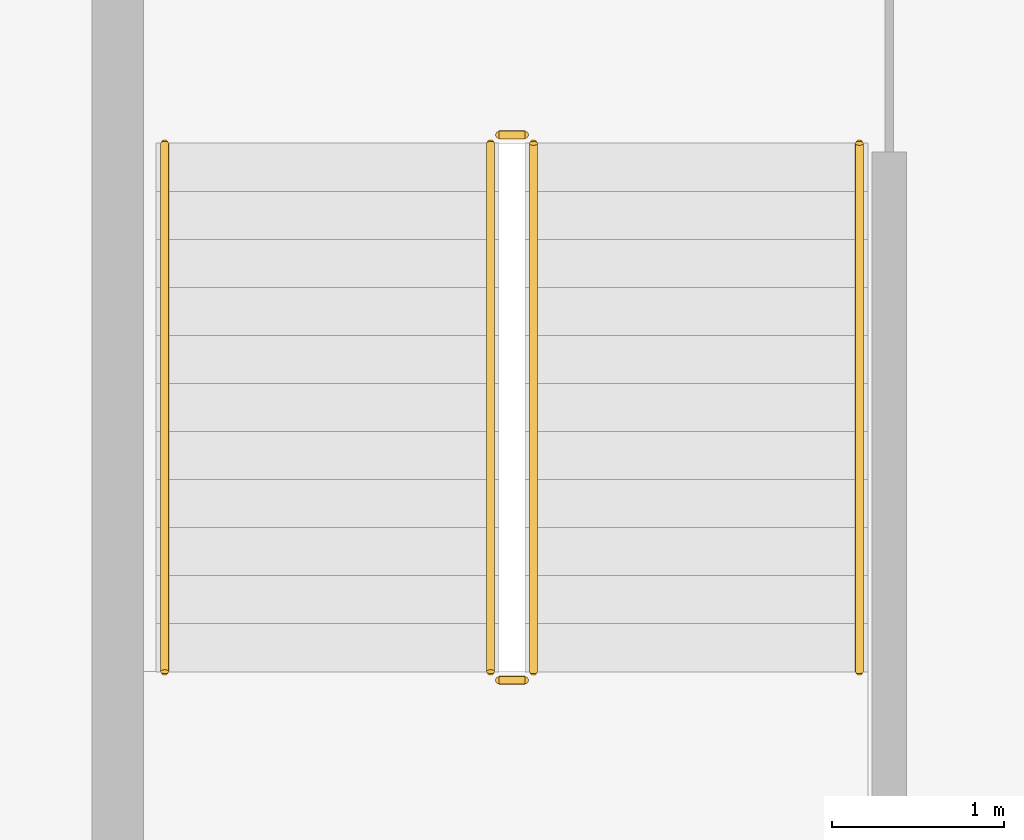
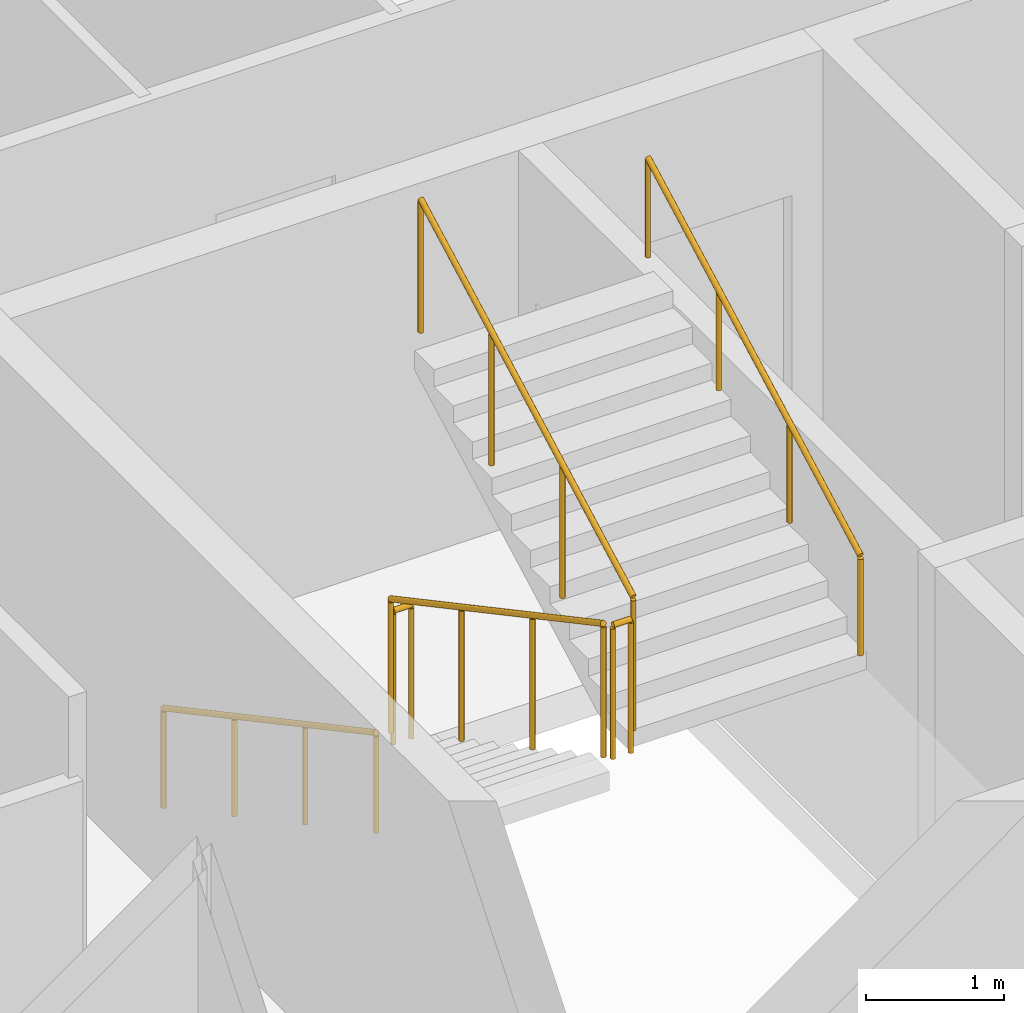
# One storey, part 12 of 14: 6 railings.
"""IFC4 building model written with IfcOpenShell, lengths in metres."""

from ifc_helpers import new_model, si_unit, direction, frame, origin, origin_2d, place, context, subcontext, project, spatial, circle, extrude, material, type_object, element, save


model = new_model("IFC4")

# Units and contexts
model_context = context("Model", 3, precision=1e-05, world=origin(), true_north=direction((0.0, 1.0)))
body_context = subcontext(model_context, "Body", "Model", "MODEL_VIEW")
ifc_project = project(units=[si_unit("LENGTHUNIT", "METRE"), si_unit("AREAUNIT", "SQUARE_METRE"), si_unit("VOLUMEUNIT", "CUBIC_METRE"), si_unit("PLANEANGLEUNIT", "RADIAN"), si_unit("MASSUNIT", "GRAM", prefix="KILO")], contexts=[model_context])

# Site, building, storey
site_placement = place(None, origin())
site = spatial("IfcSite", under=ifc_project, at=site_placement, CompositionType="ELEMENT")
building_placement = place(site_placement, origin())
building = spatial("IfcBuilding", under=site, at=building_placement, Name="Caravel Reach Hotel and Residences", CompositionType="ELEMENT")
storey_placement = place(building_placement, frame((0.0, 0.0, 37.199951171875)))
storey = spatial("IfcBuildingStorey", under=building, at=storey_placement, Name="L07", CompositionType="ELEMENT", Elevation=37.199951171875)

# Railings
ifc_material_1 = material(Name="Steel balustrade with glass infill", Category="steel")
railing_type_1 = type_object("IfcRailingType", Name="Guard 1200", PredefinedType="GUARDRAIL", material=ifc_material_1)
railing_1_placement = place(storey_placement, frame((20.175048828125, 29.35009765625, 0.150146484375)))
element("IfcRailing", 1, at=railing_1_placement, inside=storey, type_object=railing_type_1, Name="L07 ST-A stair guard 1", PredefinedType="GUARDRAIL", context=body_context, shape_type="SweptSolid", body=[
    extrude(circle(Radius=0.02392578125, at=origin_2d()), frame((0.0, 0.0, 1.17578125), z_axis=(0.0, -0.881496589024, 0.472190389079), x_axis=(1.0, 0.0, 0.0)), (0.0, 0.0, 1.0), 3.494140625),
    extrude(circle(Radius=0.02099609375, at=origin_2d()), origin(), (0.0, 0.0, 1.0), 1.15185546875),
    extrude(circle(Radius=0.02099609375, at=origin_2d()), frame((0.0, -1.026611328125, 0.550048828125)), (0.0, 0.0, 1.0), 1.15185546875),
    extrude(circle(Radius=0.02099609375, at=origin_2d()), frame((0.0, -2.053466796875, 1.099853515625)), (0.0, 0.0, 1.0), 1.15185546875),
    extrude(circle(Radius=0.02099609375, at=origin_2d()), frame((0.0, -3.080078125, 1.64990234375)), (0.0, 0.0, 1.0), 1.15185546875),
])
railing_2_placement = place(storey_placement, frame((20.22509765625, 26.219970703125, 1.800048828125)))
element("IfcRailing", 2, at=railing_2_placement, inside=storey, type_object=railing_type_1, Name="L07 ST-A stair guard 2", PredefinedType="GUARDRAIL", context=body_context, shape_type="SweptSolid", body=[
    extrude(circle(Radius=0.02392578125, at=origin_2d()), frame((0.0, 0.0, 1.17578125), z_axis=(1.0, 0.0, 0.0), x_axis=(0.0, 1.0, 0.0)), (0.0, 0.0, 1.0), 0.14990234375),
    extrude(circle(Radius=0.02099609375, at=origin_2d()), origin(), (0.0, 0.0, 1.0), 1.15185546875),
    extrude(circle(Radius=0.02099609375, at=origin_2d()), frame((0.14990234375, 0.0, 0.0)), (0.0, 0.0, 1.0), 1.15185546875),
])
railing_3_placement = place(storey_placement, frame((20.425048828125, 26.27001953125, 1.949951171875)))
element("IfcRailing", 3, at=railing_3_placement, inside=storey, type_object=railing_type_1, Name="L07 ST-A stair guard 3", PredefinedType="GUARDRAIL", context=body_context, shape_type="SweptSolid", body=[
    extrude(circle(Radius=0.02392578125, at=origin_2d()), frame((0.0, 0.0, 1.17578125), z_axis=(0.0, 0.881467505477, 0.472244678941), x_axis=(-1.0, 0.0, 0.0)), (0.0, 0.0, 1.0), 3.494140625),
    extrude(circle(Radius=0.02099609375, at=origin_2d()), origin(), (0.0, 0.0, 1.0), 1.15185546875),
    extrude(circle(Radius=0.02099609375, at=origin_2d()), frame((0.0, 1.026611328125, 0.550048828125)), (0.0, 0.0, 1.0), 1.15185546875),
    extrude(circle(Radius=0.02099609375, at=origin_2d()), frame((0.0, 2.053466796875, 1.10009765625)), (0.0, 0.0, 1.0), 1.15185546875),
    extrude(circle(Radius=0.02099609375, at=origin_2d()), frame((0.0, 3.080078125, 1.650146484375)), (0.0, 0.0, 1.0), 1.15185546875),
])
railing_4_placement = place(storey_placement, frame((20.22509765625, 29.39990234375, 0.0)))
element("IfcRailing", 4, at=railing_4_placement, inside=storey, type_object=railing_type_1, Name="L07 ST-A stair guard 4", PredefinedType="GUARDRAIL", context=body_context, shape_type="SweptSolid", body=[
    extrude(circle(Radius=0.02392578125, at=origin_2d()), frame((0.0, 0.0, 1.17578125), z_axis=(1.0, 0.0, 0.0), x_axis=(0.0, 1.0, 0.0)), (0.0, 0.0, 1.0), 0.14990234375),
    extrude(circle(Radius=0.02099609375, at=origin_2d()), origin(), (0.0, 0.0, 1.0), 1.15185546875),
    extrude(circle(Radius=0.02099609375, at=origin_2d()), frame((0.14990234375, 0.0, 0.0)), (0.0, 0.0, 1.0), 1.15185546875),
])
ifc_material_2 = material(Name="Stainless steel handrail", Category="steel")
railing_type_2 = type_object("IfcRailingType", Name="Handrail 900", PredefinedType="HANDRAIL", material=ifc_material_2)
railing_5_placement = place(storey_placement, frame((18.27490234375, 29.35009765625, 0.150146484375)))
element("IfcRailing", 5, at=railing_5_placement, inside=storey, type_object=railing_type_2, Name="L07 ST-A stair handrail 1", PredefinedType="HANDRAIL", context=body_context, shape_type="SweptSolid", body=[
    extrude(circle(Radius=0.02392578125, at=origin_2d()), frame((0.0, 0.0, 0.8759765625), z_axis=(0.0, -0.881496589024, 0.472190389079), x_axis=(1.0, 0.0, 0.0)), (0.0, 0.0, 1.0), 3.494140625),
    extrude(circle(Radius=0.02099609375, at=origin_2d()), origin(), (0.0, 0.0, 1.0), 0.851806640625),
    extrude(circle(Radius=0.02099609375, at=origin_2d()), frame((0.0, -1.026611328125, 0.550048828125)), (0.0, 0.0, 1.0), 0.851806640625),
    extrude(circle(Radius=0.02099609375, at=origin_2d()), frame((0.0, -2.053466796875, 1.099853515625)), (0.0, 0.0, 1.0), 0.851806640625),
    extrude(circle(Radius=0.02099609375, at=origin_2d()), frame((0.0, -3.080078125, 1.64990234375)), (0.0, 0.0, 1.0), 0.851806640625),
])
railing_6_placement = place(storey_placement, frame((22.324951171875, 26.27001953125, 1.949951171875)))
element("IfcRailing", 6, at=railing_6_placement, inside=storey, type_object=railing_type_2, Name="L07 ST-A stair handrail 2", PredefinedType="HANDRAIL", context=body_context, shape_type="SweptSolid", body=[
    extrude(circle(Radius=0.02392578125, at=origin_2d()), frame((0.0, 0.0, 0.8759765625), z_axis=(0.0, 0.881467505477, 0.472244678941), x_axis=(-1.0, 0.0, 0.0)), (0.0, 0.0, 1.0), 3.494140625),
    extrude(circle(Radius=0.02099609375, at=origin_2d()), origin(), (0.0, 0.0, 1.0), 0.851806640625),
    extrude(circle(Radius=0.02099609375, at=origin_2d()), frame((0.0, 1.026611328125, 0.550048828125)), (0.0, 0.0, 1.0), 0.851806640625),
    extrude(circle(Radius=0.02099609375, at=origin_2d()), frame((0.0, 2.053466796875, 1.10009765625)), (0.0, 0.0, 1.0), 0.851806640625),
    extrude(circle(Radius=0.02099609375, at=origin_2d()), frame((0.0, 3.080078125, 1.650146484375)), (0.0, 0.0, 1.0), 0.851806640625),
])

save(model, "model.ifc")
